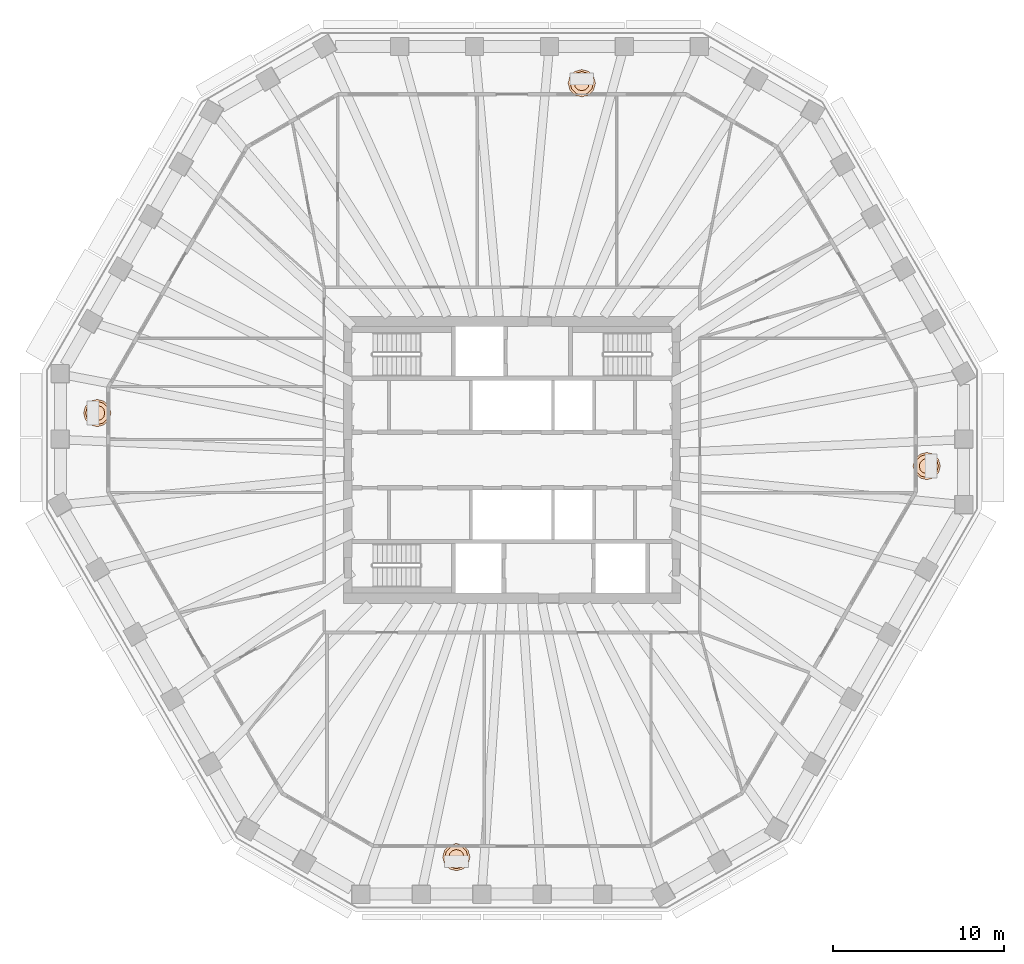
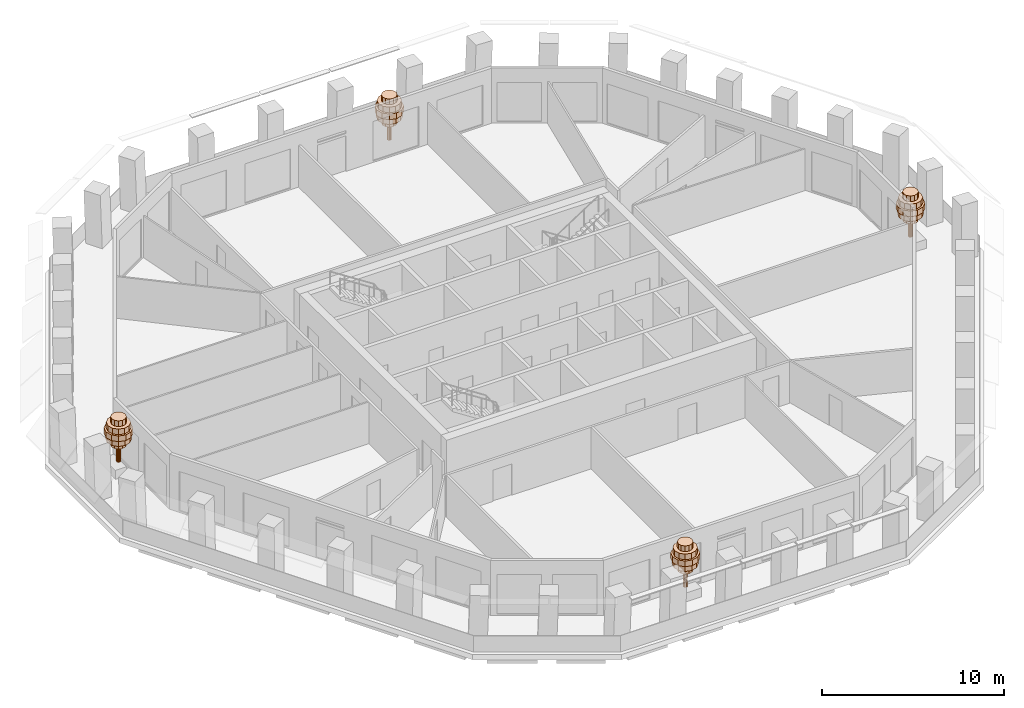
# One storey, part 12 of 12: 4 geographic elements.
"""IFC4 building model written with IfcOpenShell, lengths in metres."""

from ifc_helpers import new_model, si_unit, direction, frame, origin, place, context, subcontext, project, spatial, polyline, outline, extrude, material, type_object, element, save


model = new_model("IFC4")

# Units and contexts
model_context = context("Model", 3, precision=1e-05, world=origin(), true_north=direction((0.0, 1.0)))
body_context = subcontext(model_context, "Body", "Model", "MODEL_VIEW")
ifc_project = project(units=[si_unit("LENGTHUNIT", "METRE"), si_unit("AREAUNIT", "SQUARE_METRE"), si_unit("VOLUMEUNIT", "CUBIC_METRE"), si_unit("PLANEANGLEUNIT", "RADIAN"), si_unit("MASSUNIT", "GRAM", prefix="KILO")], contexts=[model_context])

# Site, building, storey
site_placement = place(None, origin())
site = spatial("IfcSite", under=ifc_project, at=site_placement, CompositionType="ELEMENT")
building_placement = place(site_placement, origin())
building = spatial("IfcBuilding", under=site, at=building_placement, Name="Frailejon Research Tower", CompositionType="ELEMENT")
storey_placement = place(building_placement, frame((0.0, 0.0, 249.39990234375)))
storey = spatial("IfcBuildingStorey", under=building, at=storey_placement, Name="L54", CompositionType="ELEMENT", Elevation=249.39990234375)

# Geographic elements
ifc_material = material(Name="Foliage, green")
geographic_element_type = type_object("IfcGeographicElementType", Name="Frailejon tree, loggia", PredefinedType="USERDEFINED", material=ifc_material)
geographic_element_1_placement = place(storey_placement, frame((24.27392578125, -0.357421875, 0.60009765625)))
element("IfcGeographicElement", 1, at=geographic_element_1_placement, inside=storey, type_object=geographic_element_type, Name="Tree L54", ObjectType="TREE", PredefinedType="USERDEFINED", context=body_context, shape_type="SweptSolid", body=[
    extrude(outline(polyline([(0.1298828125, 0.0), (0.112548828125, 0.06494140625), (0.06494140625, 0.112548828125), (0.0, 0.1298828125), (-0.06494140625, 0.112548828125), (-0.112548828125, 0.06494140625), (-0.1298828125, 0.0), (-0.112548828125, -0.06494140625), (-0.06494140625, -0.112548828125), (0.0, -0.1298828125), (0.06494140625, -0.112548828125), (0.112548828125, -0.06494140625), (0.1298828125, 0.0)])), origin(), (0.0, 0.0, 1.0), 2.239990234375),
    extrude(outline(polyline([(0.43994140625, 0.0), (0.381103515625, 0.219970703125), (0.219970703125, 0.381103515625), (0.0, 0.43994140625), (-0.219970703125, 0.381103515625), (-0.381103515625, 0.219970703125), (-0.43994140625, 0.0), (-0.381103515625, -0.219970703125), (-0.219970703125, -0.381103515625), (0.0, -0.43994140625), (0.219970703125, -0.381103515625), (0.381103515625, -0.219970703125), (0.43994140625, 0.0)])), frame((0.0, 0.0, 1.10009765625)), (0.0, 0.0, 1.0), 0.3798828125),
    extrude(outline(polyline([(0.719970703125, 0.0), (0.62353515625, 0.360107421875), (0.360107421875, 0.62353515625), (0.0, 0.719970703125), (-0.360107421875, 0.62353515625), (-0.62353515625, 0.360107421875), (-0.719970703125, 0.0), (-0.62353515625, -0.360107421875), (-0.360107421875, -0.62353515625), (0.0, -0.719970703125), (0.360107421875, -0.62353515625), (0.62353515625, -0.360107421875), (0.719970703125, 0.0)])), frame((0.0, 0.0, 1.47998046875)), (0.0, 0.0, 1.0), 0.3798828125),
    extrude(outline(polyline([(0.800048828125, 0.0), (0.69287109375, 0.39990234375), (0.39990234375, 0.69287109375), (0.0, 0.800048828125), (-0.39990234375, 0.69287109375), (-0.69287109375, 0.39990234375), (-0.800048828125, 0.0), (-0.69287109375, -0.39990234375), (-0.39990234375, -0.69287109375), (0.0, -0.800048828125), (0.39990234375, -0.69287109375), (0.69287109375, -0.39990234375), (0.800048828125, 0.0)])), frame((0.0, 0.0, 1.860107421875)), (0.0, 0.0, 1.0), 0.3798828125),
    extrude(outline(polyline([(0.679931640625, 0.0), (0.5888671875, 0.340087890625), (0.340087890625, 0.5888671875), (0.0, 0.679931640625), (-0.340087890625, 0.5888671875), (-0.5888671875, 0.340087890625), (-0.679931640625, 0.0), (-0.5888671875, -0.340087890625), (-0.340087890625, -0.5888671875), (0.0, -0.679931640625), (0.340087890625, -0.5888671875), (0.5888671875, -0.340087890625), (0.679931640625, 0.0)])), frame((0.0, 0.0, 2.239990234375)), (0.0, 0.0, 1.0), 0.3798828125),
    extrude(outline(polyline([(0.43994140625, 0.0), (0.381103515625, 0.219970703125), (0.219970703125, 0.381103515625), (0.0, 0.43994140625), (-0.219970703125, 0.381103515625), (-0.381103515625, 0.219970703125), (-0.43994140625, 0.0), (-0.381103515625, -0.219970703125), (-0.219970703125, -0.381103515625), (0.0, -0.43994140625), (0.219970703125, -0.381103515625), (0.381103515625, -0.219970703125), (0.43994140625, 0.0)])), frame((0.0, 0.0, 2.6201171875)), (0.0, 0.0, 1.0), 0.3798828125),
])
geographic_element_2_placement = place(storey_placement, frame((4.08349609375, 22.050048828125, 0.60009765625)))
element("IfcGeographicElement", 2, at=geographic_element_2_placement, inside=storey, type_object=geographic_element_type, Name="Tree L54", ObjectType="TREE", PredefinedType="USERDEFINED", context=body_context, shape_type="SweptSolid", body=[
    extrude(outline(polyline([(0.1298828125, 0.0), (0.112548828125, 0.06494140625), (0.06494140625, 0.112548828125), (0.0, 0.1298828125), (-0.06494140625, 0.112548828125), (-0.112548828125, 0.06494140625), (-0.1298828125, 0.0), (-0.112548828125, -0.06494140625), (-0.06494140625, -0.112548828125), (0.0, -0.1298828125), (0.06494140625, -0.112548828125), (0.112548828125, -0.06494140625), (0.1298828125, 0.0)])), origin(), (0.0, 0.0, 1.0), 2.239990234375),
    extrude(outline(polyline([(0.43994140625, 0.0), (0.381103515625, 0.219970703125), (0.219970703125, 0.381103515625), (0.0, 0.43994140625), (-0.219970703125, 0.381103515625), (-0.381103515625, 0.219970703125), (-0.43994140625, 0.0), (-0.381103515625, -0.219970703125), (-0.219970703125, -0.381103515625), (0.0, -0.43994140625), (0.219970703125, -0.381103515625), (0.381103515625, -0.219970703125), (0.43994140625, 0.0)])), frame((0.0, 0.0, 1.10009765625)), (0.0, 0.0, 1.0), 0.3798828125),
    extrude(outline(polyline([(0.719970703125, 0.0), (0.62353515625, 0.360107421875), (0.360107421875, 0.62353515625), (0.0, 0.719970703125), (-0.360107421875, 0.62353515625), (-0.62353515625, 0.360107421875), (-0.719970703125, 0.0), (-0.62353515625, -0.360107421875), (-0.360107421875, -0.62353515625), (0.0, -0.719970703125), (0.360107421875, -0.62353515625), (0.62353515625, -0.360107421875), (0.719970703125, 0.0)])), frame((0.0, 0.0, 1.47998046875)), (0.0, 0.0, 1.0), 0.3798828125),
    extrude(outline(polyline([(0.800048828125, 0.0), (0.69287109375, 0.39990234375), (0.39990234375, 0.69287109375), (0.0, 0.800048828125), (-0.39990234375, 0.69287109375), (-0.69287109375, 0.39990234375), (-0.800048828125, 0.0), (-0.69287109375, -0.39990234375), (-0.39990234375, -0.69287109375), (0.0, -0.800048828125), (0.39990234375, -0.69287109375), (0.69287109375, -0.39990234375), (0.800048828125, 0.0)])), frame((0.0, 0.0, 1.860107421875)), (0.0, 0.0, 1.0), 0.3798828125),
    extrude(outline(polyline([(0.679931640625, 0.0), (0.5888671875, 0.340087890625), (0.340087890625, 0.5888671875), (0.0, 0.679931640625), (-0.340087890625, 0.5888671875), (-0.5888671875, 0.340087890625), (-0.679931640625, 0.0), (-0.5888671875, -0.340087890625), (-0.340087890625, -0.5888671875), (0.0, -0.679931640625), (0.340087890625, -0.5888671875), (0.5888671875, -0.340087890625), (0.679931640625, 0.0)])), frame((0.0, 0.0, 2.239990234375)), (0.0, 0.0, 1.0), 0.3798828125),
    extrude(outline(polyline([(0.43994140625, 0.0), (0.381103515625, 0.219970703125), (0.219970703125, 0.381103515625), (0.0, 0.43994140625), (-0.219970703125, 0.381103515625), (-0.381103515625, 0.219970703125), (-0.43994140625, 0.0), (-0.381103515625, -0.219970703125), (-0.219970703125, -0.381103515625), (0.0, -0.43994140625), (0.219970703125, -0.381103515625), (0.381103515625, -0.219970703125), (0.43994140625, 0.0)])), frame((0.0, 0.0, 2.6201171875)), (0.0, 0.0, 1.0), 0.3798828125),
])
geographic_element_3_placement = place(storey_placement, frame((-24.27392578125, 2.745849609375, 0.60009765625)))
element("IfcGeographicElement", 3, at=geographic_element_3_placement, inside=storey, type_object=geographic_element_type, Name="Tree L54", ObjectType="TREE", PredefinedType="USERDEFINED", context=body_context, shape_type="SweptSolid", body=[
    extrude(outline(polyline([(0.1298828125, 0.0), (0.112548828125, 0.06494140625), (0.06494140625, 0.112548828125), (0.0, 0.1298828125), (-0.06494140625, 0.112548828125), (-0.112548828125, 0.06494140625), (-0.1298828125, 0.0), (-0.112548828125, -0.06494140625), (-0.06494140625, -0.112548828125), (0.0, -0.1298828125), (0.06494140625, -0.112548828125), (0.112548828125, -0.06494140625), (0.1298828125, 0.0)])), origin(), (0.0, 0.0, 1.0), 2.239990234375),
    extrude(outline(polyline([(0.43994140625, 0.0), (0.381103515625, 0.219970703125), (0.219970703125, 0.381103515625), (0.0, 0.43994140625), (-0.219970703125, 0.381103515625), (-0.381103515625, 0.219970703125), (-0.43994140625, 0.0), (-0.381103515625, -0.219970703125), (-0.219970703125, -0.381103515625), (0.0, -0.43994140625), (0.219970703125, -0.381103515625), (0.381103515625, -0.219970703125), (0.43994140625, 0.0)])), frame((0.0, 0.0, 1.10009765625)), (0.0, 0.0, 1.0), 0.3798828125),
    extrude(outline(polyline([(0.719970703125, 0.0), (0.62353515625, 0.360107421875), (0.360107421875, 0.62353515625), (0.0, 0.719970703125), (-0.360107421875, 0.62353515625), (-0.62353515625, 0.360107421875), (-0.719970703125, 0.0), (-0.62353515625, -0.360107421875), (-0.360107421875, -0.62353515625), (0.0, -0.719970703125), (0.360107421875, -0.62353515625), (0.62353515625, -0.360107421875), (0.719970703125, 0.0)])), frame((0.0, 0.0, 1.47998046875)), (0.0, 0.0, 1.0), 0.3798828125),
    extrude(outline(polyline([(0.800048828125, 0.0), (0.69287109375, 0.39990234375), (0.39990234375, 0.69287109375), (0.0, 0.800048828125), (-0.39990234375, 0.69287109375), (-0.69287109375, 0.39990234375), (-0.800048828125, 0.0), (-0.69287109375, -0.39990234375), (-0.39990234375, -0.69287109375), (0.0, -0.800048828125), (0.39990234375, -0.69287109375), (0.69287109375, -0.39990234375), (0.800048828125, 0.0)])), frame((0.0, 0.0, 1.860107421875)), (0.0, 0.0, 1.0), 0.3798828125),
    extrude(outline(polyline([(0.679931640625, 0.0), (0.5888671875, 0.340087890625), (0.340087890625, 0.5888671875), (0.0, 0.679931640625), (-0.340087890625, 0.5888671875), (-0.5888671875, 0.340087890625), (-0.679931640625, 0.0), (-0.5888671875, -0.340087890625), (-0.340087890625, -0.5888671875), (0.0, -0.679931640625), (0.340087890625, -0.5888671875), (0.5888671875, -0.340087890625), (0.679931640625, 0.0)])), frame((0.0, 0.0, 2.239990234375)), (0.0, 0.0, 1.0), 0.3798828125),
    extrude(outline(polyline([(0.43994140625, 0.0), (0.381103515625, 0.219970703125), (0.219970703125, 0.381103515625), (0.0, 0.43994140625), (-0.219970703125, 0.381103515625), (-0.381103515625, 0.219970703125), (-0.43994140625, 0.0), (-0.381103515625, -0.219970703125), (-0.219970703125, -0.381103515625), (0.0, -0.43994140625), (0.219970703125, -0.381103515625), (0.381103515625, -0.219970703125), (0.43994140625, 0.0)])), frame((0.0, 0.0, 2.6201171875)), (0.0, 0.0, 1.0), 0.3798828125),
])
geographic_element_4_placement = place(storey_placement, frame((-3.256103515625, -23.244140625, 0.60009765625)))
element("IfcGeographicElement", 4, at=geographic_element_4_placement, inside=storey, type_object=geographic_element_type, Name="Tree L54", ObjectType="TREE", PredefinedType="USERDEFINED", context=body_context, shape_type="SweptSolid", body=[
    extrude(outline(polyline([(0.1298828125, 0.0), (0.112548828125, 0.06494140625), (0.06494140625, 0.112548828125), (0.0, 0.1298828125), (-0.06494140625, 0.112548828125), (-0.112548828125, 0.06494140625), (-0.1298828125, 0.0), (-0.112548828125, -0.06494140625), (-0.06494140625, -0.112548828125), (0.0, -0.1298828125), (0.06494140625, -0.112548828125), (0.112548828125, -0.06494140625), (0.1298828125, 0.0)])), origin(), (0.0, 0.0, 1.0), 2.239990234375),
    extrude(outline(polyline([(0.43994140625, 0.0), (0.381103515625, 0.219970703125), (0.219970703125, 0.381103515625), (0.0, 0.43994140625), (-0.219970703125, 0.381103515625), (-0.381103515625, 0.219970703125), (-0.43994140625, 0.0), (-0.381103515625, -0.219970703125), (-0.219970703125, -0.381103515625), (0.0, -0.43994140625), (0.219970703125, -0.381103515625), (0.381103515625, -0.219970703125), (0.43994140625, 0.0)])), frame((0.0, 0.0, 1.10009765625)), (0.0, 0.0, 1.0), 0.3798828125),
    extrude(outline(polyline([(0.719970703125, 0.0), (0.62353515625, 0.360107421875), (0.360107421875, 0.62353515625), (0.0, 0.719970703125), (-0.360107421875, 0.62353515625), (-0.62353515625, 0.360107421875), (-0.719970703125, 0.0), (-0.62353515625, -0.360107421875), (-0.360107421875, -0.62353515625), (0.0, -0.719970703125), (0.360107421875, -0.62353515625), (0.62353515625, -0.360107421875), (0.719970703125, 0.0)])), frame((0.0, 0.0, 1.47998046875)), (0.0, 0.0, 1.0), 0.3798828125),
    extrude(outline(polyline([(0.800048828125, 0.0), (0.69287109375, 0.39990234375), (0.39990234375, 0.69287109375), (0.0, 0.800048828125), (-0.39990234375, 0.69287109375), (-0.69287109375, 0.39990234375), (-0.800048828125, 0.0), (-0.69287109375, -0.39990234375), (-0.39990234375, -0.69287109375), (0.0, -0.800048828125), (0.39990234375, -0.69287109375), (0.69287109375, -0.39990234375), (0.800048828125, 0.0)])), frame((0.0, 0.0, 1.860107421875)), (0.0, 0.0, 1.0), 0.3798828125),
    extrude(outline(polyline([(0.679931640625, 0.0), (0.5888671875, 0.340087890625), (0.340087890625, 0.5888671875), (0.0, 0.679931640625), (-0.340087890625, 0.5888671875), (-0.5888671875, 0.340087890625), (-0.679931640625, 0.0), (-0.5888671875, -0.340087890625), (-0.340087890625, -0.5888671875), (0.0, -0.679931640625), (0.340087890625, -0.5888671875), (0.5888671875, -0.340087890625), (0.679931640625, 0.0)])), frame((0.0, 0.0, 2.239990234375)), (0.0, 0.0, 1.0), 0.3798828125),
    extrude(outline(polyline([(0.43994140625, 0.0), (0.381103515625, 0.219970703125), (0.219970703125, 0.381103515625), (0.0, 0.43994140625), (-0.219970703125, 0.381103515625), (-0.381103515625, 0.219970703125), (-0.43994140625, 0.0), (-0.381103515625, -0.219970703125), (-0.219970703125, -0.381103515625), (0.0, -0.43994140625), (0.219970703125, -0.381103515625), (0.381103515625, -0.219970703125), (0.43994140625, 0.0)])), frame((0.0, 0.0, 2.6201171875)), (0.0, 0.0, 1.0), 0.3798828125),
])

save(model, "model.ifc")
